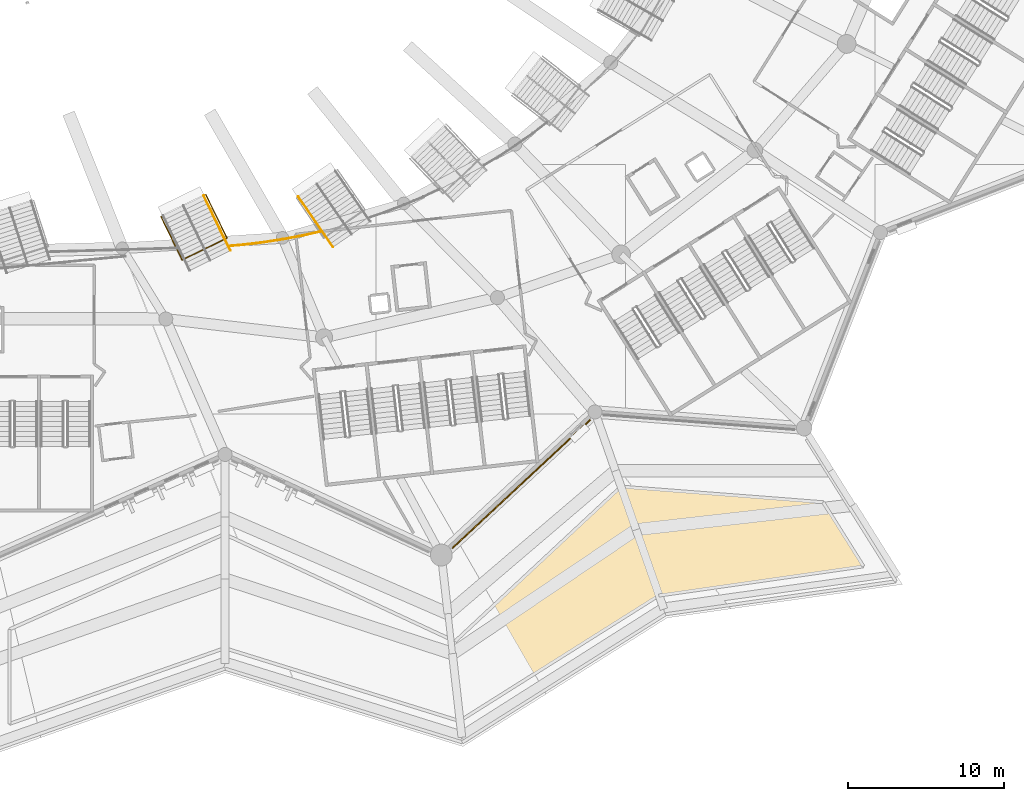
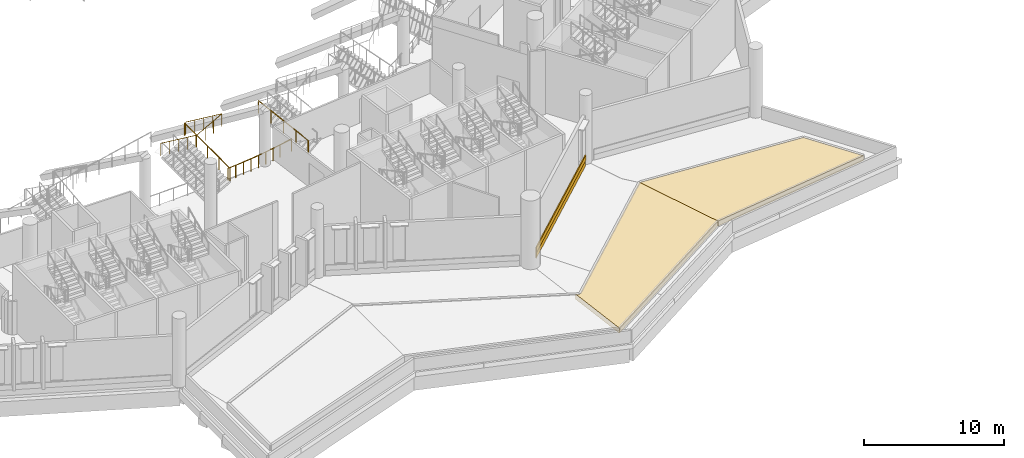
# One storey, part 129 of 173: 4 coverings, 4 railings.
"""IFC4 building model written with IfcOpenShell, lengths in metres."""

from ifc_helpers import new_model, si_unit, direction, frame, origin, origin_2d, place, context, subcontext, project, spatial, polyline, rectangle, circle, outline, extrude, material, layer, layer_set, type_object, element, save


model = new_model("IFC4")

# Units and contexts
model_context = context("Model", 3, precision=1e-05, world=origin(), true_north=direction((0.0, 1.0)))
body_context = subcontext(model_context, "Body", "Model", "MODEL_VIEW")
ifc_project = project(units=[si_unit("LENGTHUNIT", "METRE"), si_unit("AREAUNIT", "SQUARE_METRE"), si_unit("VOLUMEUNIT", "CUBIC_METRE"), si_unit("PLANEANGLEUNIT", "RADIAN"), si_unit("MASSUNIT", "GRAM", prefix="KILO")], contexts=[model_context])

# Site, building, storey
site_placement = place(None, origin())
site = spatial("IfcSite", under=ifc_project, at=site_placement, CompositionType="ELEMENT")
building_placement = place(site_placement, origin())
building = spatial("IfcBuilding", under=site, at=building_placement, Name="Meseta Stadium", CompositionType="ELEMENT")
storey_placement = place(building_placement, frame((0.0, 0.0, 18.0)))
storey = spatial("IfcBuildingStorey", under=building, at=storey_placement, Name="L03", CompositionType="ELEMENT", Elevation=18.0)

# Coverings
ifc_material_1 = material(Name="Guadarrama granite cladding", Category="masonry")
ifc_layer_1 = layer(ifc_material_1, 0.06005859375)
ifc_layer_set_1 = layer_set([ifc_layer_1], Name="Granite plinth cladding 60")
covering_type_1 = type_object("IfcCoveringType", Name="Granite plinth cladding 60", PredefinedType="CLADDING", material=ifc_layer_set_1)
covering_1_placement = place(storey_placement, frame((57.32421875, -100.490478515625, 0.0), z_axis=(0.0, 0.0, 1.0), x_axis=(-0.731545312925, -0.681792824206, 0.0)))
element("IfcCovering", 1, at=covering_1_placement, inside=storey, type_object=covering_type_1, Name="Granite plinth L03 F50", PredefinedType="CLADDING", context=body_context, shape_type="SweptSolid", body=[
    extrude(rectangle(XDim=12.07421875, YDim=0.06005859375, at=origin_2d()), origin(), (0.0, 0.0, 1.0), 0.5),
])
ifc_material_2 = material(Name="Planting soil")
ifc_layer_2 = layer(ifc_material_2, 0.449951171875)
ifc_layer_set_2 = layer_set([ifc_layer_2], Name="Planting soil 450")
covering_type_2 = type_object("IfcCoveringType", Name="Planting soil 450", PredefinedType="FLOORING", material=ifc_layer_set_2)
covering_2_placement = place(storey_placement, origin())
element("IfcCovering", 2, at=covering_2_placement, inside=storey, type_object=covering_type_2, Name="Roof garden planting bed 7.1 panel 03", PredefinedType="FLOORING", context=body_context, shape_type="SweptSolid", body=[
    extrude(outline(polyline([(52.8125, -110.4638671875), (53.400390625, -115.67919921875), (66.146484375, -107.6474609375), (66.17041015625, -107.64404296875), (63.728759765625, -100.666015625), (53.081787109375, -110.589111328125), (52.8125, -110.4638671875)])), origin(), (0.0, 0.0, 1.0), 0.449951171875),
])
covering_3_placement = place(storey_placement, origin())
element("IfcCovering", 3, at=covering_3_placement, inside=storey, type_object=covering_type_2, Name="Roof garden planting bed 7.1 panel 04", PredefinedType="FLOORING", context=body_context, shape_type="SweptSolid", body=[
    extrude(outline(polyline([(76.692626953125, -101.666259765625), (63.728759765625, -100.666015625), (66.17041015625, -107.64404296875), (79.2734375, -105.773681640625), (76.692626953125, -101.666259765625)])), origin(), (0.0, 0.0, 1.0), 0.449951171875),
])

# Railing
ifc_material_3 = material(Name="Steel S355", Category="steel")
railing_type_1 = type_object("IfcRailingType", Name="Plate edge guard 1100", PredefinedType="GUARDRAIL", material=ifc_material_3)
railing_1_placement = place(storey_placement, frame((38.6640625, -85.224609375, 0.0)))
element("IfcRailing", 4, at=railing_1_placement, inside=storey, type_object=railing_type_1, Name="L03 inner edge guard 51", PredefinedType="GUARDRAIL", context=body_context, shape_type="SweptSolid", body=[
    extrude(circle(Radius=0.02490234375, at=origin_2d()), frame((0.0, 0.0, 1.0751953125), z_axis=(0.996729823051, 0.080806310654, 0.0), x_axis=(-0.080806310654, 0.996729823051, 0.0)), (0.0, 0.0, 1.0), 0.685791015625),
    extrude(circle(Radius=0.02490234375, at=origin_2d()), frame((0.68359375, 0.055419921875, 1.0751953125), z_axis=(0.993204606365, 0.116381312482, 0.0), x_axis=(-0.116381312482, 0.993204606365, 0.0)), (0.0, 0.0, 1.0), 1.355224609375),
    extrude(circle(Radius=0.02490234375, at=origin_2d()), frame((2.029541015625, 0.213134765625, 1.0751953125), z_axis=(0.988417493259, 0.151759213954, 0.0), x_axis=(-0.151759213954, 0.988417493259, 0.0)), (0.0, 0.0, 1.0), 1.3544921875),
    extrude(circle(Radius=0.02490234375, at=origin_2d()), frame((3.368408203125, 0.418701171875, 1.0751953125), z_axis=(0.982401631843, 0.18678071033, 0.0), x_axis=(-0.18678071033, 0.982401631843, 0.0)), (0.0, 0.0, 1.0), 1.354248046875),
    extrude(circle(Radius=0.02490234375, at=origin_2d()), frame((4.69873046875, 0.671630859375, 1.0751953125), z_axis=(0.975167932407, 0.221466709924, 0.0), x_axis=(-0.221466709924, 0.975167932407, 0.0)), (0.0, 0.0, 1.0), 1.093505859375),
    extrude(circle(Radius=0.02001953125, at=origin_2d()), origin(), (0.0, 0.0, 1.0), 1.050048828125),
    extrude(circle(Radius=0.02001953125, at=origin_2d()), frame((0.68359375, 0.055419921875, 0.0)), (0.0, 0.0, 1.0), 1.050048828125),
    extrude(circle(Radius=0.02001953125, at=origin_2d()), frame((1.3564453125, 0.13427734375, 0.0)), (0.0, 0.0, 1.0), 1.050048828125),
    extrude(circle(Radius=0.02001953125, at=origin_2d()), frame((2.029541015625, 0.213134765625, 0.0)), (0.0, 0.0, 1.0), 1.050048828125),
    extrude(circle(Radius=0.02001953125, at=origin_2d()), frame((2.698974609375, 0.31591796875, 0.0)), (0.0, 0.0, 1.0), 1.050048828125),
    extrude(circle(Radius=0.02001953125, at=origin_2d()), frame((3.368408203125, 0.418701171875, 0.0)), (0.0, 0.0, 1.0), 1.050048828125),
    extrude(circle(Radius=0.02001953125, at=origin_2d()), frame((4.03369140625, 0.545166015625, 0.0)), (0.0, 0.0, 1.0), 1.050048828125),
    extrude(circle(Radius=0.02001953125, at=origin_2d()), frame((4.69873046875, 0.671630859375, 0.0)), (0.0, 0.0, 1.0), 1.050048828125),
    extrude(circle(Radius=0.02001953125, at=origin_2d()), frame((5.76513671875, 0.913818359375, 0.0)), (0.0, 0.0, 1.0), 1.050048828125),
])

# Covering
ifc_material_4 = material(Name="Precast concrete C40/50, terracotta pigment", Category="masonry")
ifc_layer_3 = layer(ifc_material_4, 0.080078125)
ifc_layer_set_3 = layer_set([ifc_layer_3], Name="Precast concrete C40/50, terracotta pigment")
covering_type_3 = type_object("IfcCoveringType", Name="Terracotta precast band 80", PredefinedType="CLADDING", material=ifc_layer_set_3)
covering_4_placement = place(storey_placement, frame((57.3310546875, -100.497802734375, 0.5), z_axis=(0.0, 0.0, 1.0), x_axis=(-0.731545312925, -0.681792824206, 0.0)))
element("IfcCovering", 5, at=covering_4_placement, inside=storey, type_object=covering_type_3, Name="Terracotta band L03 F50", PredefinedType="CLADDING", context=body_context, shape_type="SweptSolid", body=[
    extrude(rectangle(XDim=12.07421875, YDim=0.080078125, at=origin_2d()), origin(), (0.0, 0.0, 1.0), 0.449951171875),
])

# Railings
ifc_material_5 = material(Name="Steel S355", Category="steel")
railing_type_2 = type_object("IfcRailingType", Name="Vomitory slot guard 1100", PredefinedType="GUARDRAIL", material=ifc_material_5)
railing_2_placement = place(storey_placement, frame((37.0966796875, -81.939208984375, 2.59912109375)))
element("IfcRailing", 6, at=railing_2_placement, inside=storey, type_object=railing_type_2, Name="Vomitory V-upper-50 slot guard", PredefinedType="GUARDRAIL", context=body_context, shape_type="SweptSolid", body=[
    extrude(circle(Radius=0.02490234375, at=origin_2d()), frame((0.0, 0.0, 1.0751953125), z_axis=(0.37144591586, -0.762325625593, 0.529988275489), x_axis=(0.898963630227, 0.438023277383, 0.0)), (0.0, 0.0, 1.0), 3.65576171875),
    extrude(circle(Radius=0.02490234375, at=origin_2d()), frame((1.35791015625, -2.786865234375, 3.0126953125), z_axis=(-0.899017594614, -0.437912507899, 0.0), x_axis=(0.437912507899, -0.899017594614, 0.0)), (0.0, 0.0, 1.0), 3.2001953125),
    extrude(circle(Radius=0.02490234375, at=origin_2d()), frame((-1.51904296875, -4.188232421875, 3.0126953125), z_axis=(-0.371388345082, 0.762344534996, -0.53000142179), x_axis=(-0.898994639312, -0.437959631118, 0.0)), (0.0, 0.0, 1.0), 3.65576171875),
    extrude(circle(Radius=0.02001953125, at=origin_2d()), origin(), (0.0, 0.0, 1.0), 1.050048828125),
    extrude(circle(Radius=0.02001953125, at=origin_2d()), frame((0.33935546875, -0.69677734375, 0.484375)), (0.0, 0.0, 1.0), 1.050048828125),
    extrude(circle(Radius=0.02001953125, at=origin_2d()), frame((0.678955078125, -1.3935546875, 0.96875)), (0.0, 0.0, 1.0), 1.050048828125),
    extrude(circle(Radius=0.02001953125, at=origin_2d()), frame((1.0185546875, -2.090087890625, 1.453125)), (0.0, 0.0, 1.0), 1.050048828125),
    extrude(circle(Radius=0.02001953125, at=origin_2d()), frame((1.35791015625, -2.786865234375, 1.9375)), (0.0, 0.0, 1.0), 1.050048828125),
    extrude(circle(Radius=0.02001953125, at=origin_2d()), frame((0.39892578125, -3.25390625, 1.9375)), (0.0, 0.0, 1.0), 1.050048828125),
    extrude(circle(Radius=0.02001953125, at=origin_2d()), frame((-0.56005859375, -3.72119140625, 1.9375)), (0.0, 0.0, 1.0), 1.050048828125),
    extrude(circle(Radius=0.02001953125, at=origin_2d()), frame((-1.51904296875, -4.188232421875, 1.9375)), (0.0, 0.0, 1.0), 1.050048828125),
    extrude(circle(Radius=0.02001953125, at=origin_2d()), frame((-1.8583984375, -3.491455078125, 1.453125)), (0.0, 0.0, 1.0), 1.050048828125),
    extrude(circle(Radius=0.02001953125, at=origin_2d()), frame((-2.19775390625, -2.794921875, 0.96875)), (0.0, 0.0, 1.0), 1.050048828125),
    extrude(circle(Radius=0.02001953125, at=origin_2d()), frame((-2.537353515625, -2.09814453125, 0.484375)), (0.0, 0.0, 1.0), 1.050048828125),
    extrude(circle(Radius=0.02001953125, at=origin_2d()), frame((-2.876708984375, -1.4013671875, 0.0)), (0.0, 0.0, 1.0), 1.050048828125),
])
ifc_material_6 = material(Name="Steel S355", Category="steel")
railing_type_3 = type_object("IfcRailingType", Name="Vomitory stair guard 1100", PredefinedType="GUARDRAIL", material=ifc_material_6)
railing_3_placement = place(storey_placement, frame((38.6787109375, -85.52880859375, 0.17333984375)))
element("IfcRailing", 7, at=railing_3_placement, inside=storey, type_object=railing_type_3, Name="Vomitory V-upper-50 guard right", PredefinedType="GUARDRAIL", context=body_context, shape_type="SweptSolid", body=[
    extrude(circle(Radius=0.02490234375, at=origin_2d()), frame((0.0, 0.0, 1.0751953125), z_axis=(-0.372426766829, 0.764449367521, 0.526227581799), x_axis=(-0.898988611266, -0.437972004602, 0.0)), (0.0, 0.0, 1.0), 4.60986328125),
    extrude(circle(Radius=0.02001953125, at=origin_2d()), origin(), (0.0, 0.0, 1.0), 1.050048828125),
    extrude(circle(Radius=0.02001953125, at=origin_2d()), frame((-0.42919921875, 0.880859375, 0.6064453125)), (0.0, 0.0, 1.0), 1.050048828125),
    extrude(circle(Radius=0.02001953125, at=origin_2d()), frame((-0.8583984375, 1.761962890625, 1.212890625)), (0.0, 0.0, 1.0), 1.050048828125),
    extrude(circle(Radius=0.02001953125, at=origin_2d()), frame((-1.28759765625, 2.64306640625, 1.8193359375)), (0.0, 0.0, 1.0), 1.050048828125),
    extrude(circle(Radius=0.02001953125, at=origin_2d()), frame((-1.716796875, 3.52392578125, 2.42578125)), (0.0, 0.0, 1.0), 1.050048828125),
])
railing_4_placement = place(storey_placement, frame((45.2568359375, -85.298828125, 0.164794921875)))
element("IfcRailing", 8, at=railing_4_placement, inside=storey, type_object=railing_type_3, Name="Vomitory V-upper-51 guard left", PredefinedType="GUARDRAIL", context=body_context, shape_type="SweptSolid", body=[
    extrude(circle(Radius=0.02490234375, at=origin_2d()), frame((0.0, 0.0, 1.0751953125), z_axis=(-0.489474665706, 0.70938668516, 0.507134185941), x_axis=(-0.823081280051, -0.567923592069, 0.0)), (0.0, 0.0, 1.0), 4.54833984375),
    extrude(circle(Radius=0.02001953125, at=origin_2d()), origin(), (0.0, 0.0, 1.0), 1.050048828125),
    extrude(circle(Radius=0.02001953125, at=origin_2d()), frame((-0.556640625, 0.806640625, 0.57666015625)), (0.0, 0.0, 1.0), 1.050048828125),
    extrude(circle(Radius=0.02001953125, at=origin_2d()), frame((-1.11328125, 1.61328125, 1.1533203125)), (0.0, 0.0, 1.0), 1.050048828125),
    extrude(circle(Radius=0.02001953125, at=origin_2d()), frame((-1.669677734375, 2.419921875, 1.72998046875)), (0.0, 0.0, 1.0), 1.050048828125),
    extrude(circle(Radius=0.02001953125, at=origin_2d()), frame((-2.226318359375, 3.2265625, 2.306640625)), (0.0, 0.0, 1.0), 1.050048828125),
])

save(model, "model.ifc")
